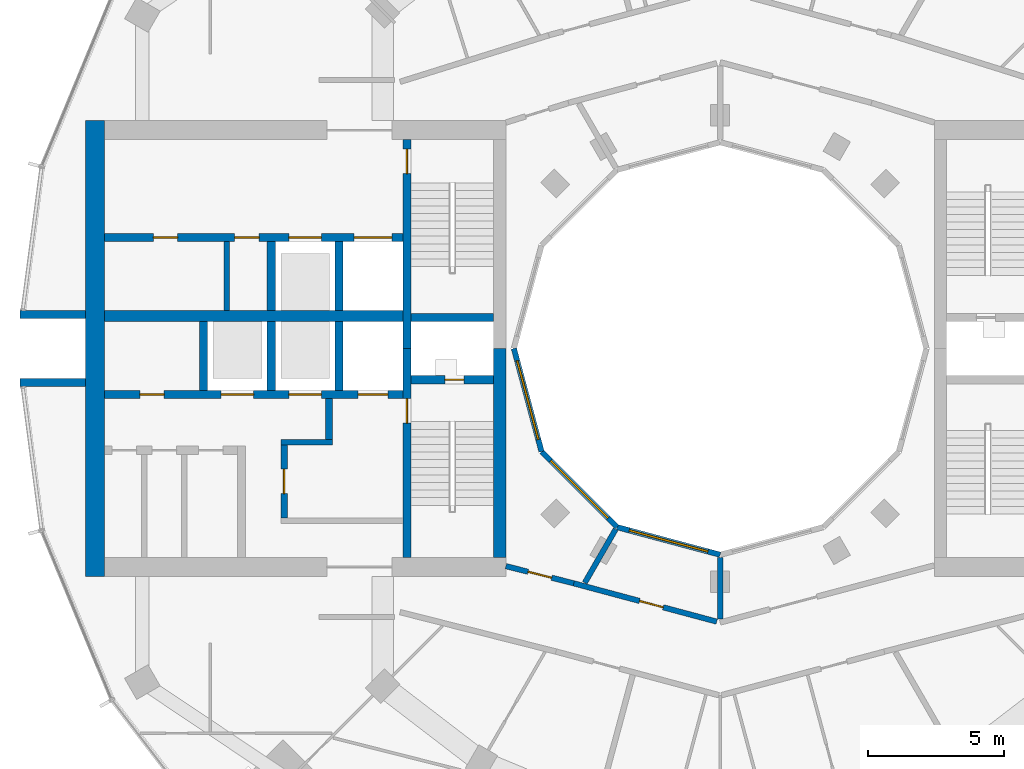
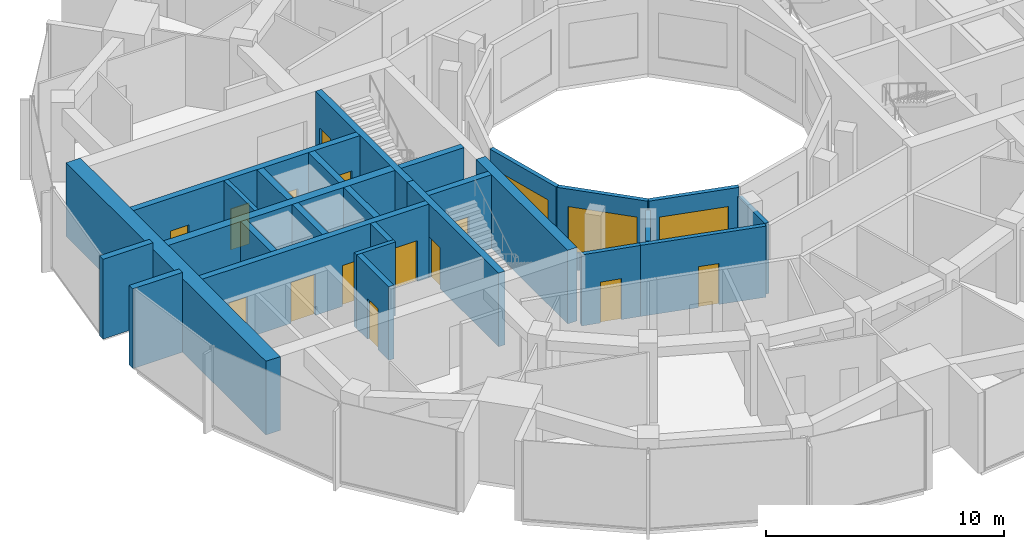
# One storey, part 9 of 15: 27 walls, 14 doors, 3 windows, 17 openings.
"""IFC4 building model written with IfcOpenShell, lengths in metres."""

from ifc_helpers import new_model, si_unit, direction, frame, frame_2d, origin, place, context, subcontext, project, spatial, rectangle, extrude, material, layer, layer_set, type_object, element, fill, save


model = new_model("IFC4")

# Units and contexts
model_context = context("Model", 3, precision=1e-05, world=origin(), true_north=direction((0.0, 1.0)))
body_context = subcontext(model_context, "Body", "Model", "MODEL_VIEW")
ifc_project = project(units=[si_unit("LENGTHUNIT", "METRE"), si_unit("AREAUNIT", "SQUARE_METRE"), si_unit("VOLUMEUNIT", "CUBIC_METRE"), si_unit("PLANEANGLEUNIT", "RADIAN"), si_unit("MASSUNIT", "GRAM", prefix="KILO")], contexts=[model_context])

# Site, building, storey
site_placement = place(None, origin())
site = spatial("IfcSite", under=ifc_project, at=site_placement, CompositionType="ELEMENT")
building_placement = place(site_placement, origin())
building = spatial("IfcBuilding", under=site, at=building_placement, Name="Torre Brocal", CompositionType="ELEMENT")
storey_placement = place(building_placement, frame((0.0, 0.0, 198.699951171875)))
storey = spatial("IfcBuildingStorey", under=building, at=storey_placement, Name="L46", CompositionType="ELEMENT", Elevation=198.699951171875)

# Walls
ifc_material_1 = material(Name="Masonry block", Category="masonry")
ifc_layer_1 = layer(ifc_material_1, 0.199951171875)
ifc_layer_set_1 = layer_set([ifc_layer_1], Name="Masonry block")
wall_type_1 = type_object("IfcWallType", Name="CORE PARTITION 200", PredefinedType="PARTITIONING", material=ifc_layer_set_1)
wall_1_placement = place(storey_placement, frame((61.800048828125, 78.949951171875, 0.0), z_axis=(0.0, 0.0, 1.0), x_axis=(0.0, -1.0, 0.0)))
element("IfcWall", 1, at=wall_1_placement, inside=storey, type_object=wall_type_1, Name="Wall CP200", PredefinedType="PARTITIONING", context=body_context, shape_type="SweptSolid", body=[
    extrude(rectangle(XDim=2.550048828125, YDim=0.199951171875, at=frame_2d((1.27490234375, 0.0))), origin(), (0.0, 0.0, 1.0), 3.780029296875),
])
ifc_material_2 = material(Name="Concrete C70", Category="concrete")
ifc_layer_2 = layer(ifc_material_2, 0.199951171875)
ifc_layer_set_2 = layer_set([ifc_layer_2], Name="Concrete C70")
wall_type_2 = type_object("IfcWallType", Name="CORE WALL 200 C70", PredefinedType="SHEAR", material=ifc_layer_set_2)
wall_2_placement = place(storey_placement, frame((65.699951171875, 71.550048828125, 0.0), z_axis=(0.0, 0.0, 1.0), x_axis=(-1.0, 0.0, 0.0)))
element("IfcWall", 2, at=wall_2_placement, inside=storey, type_object=wall_type_2, Name="Wall CW200-70", PredefinedType="SHEAR", context=body_context, shape_type="SweptSolid", body=[
    extrude(rectangle(XDim=1.89990234375, YDim=0.199951171875, at=frame_2d((0.949951171875, 0.0))), origin(), (0.0, 0.0, 1.0), 3.780029296875),
])

# Wall, opening, door
ifc_material_3 = material(Name="Concrete C70", Category="concrete")
ifc_layer_3 = layer(ifc_material_3, 0.25)
ifc_layer_set_3 = layer_set([ifc_layer_3], Name="Concrete C70")
wall_type_3 = type_object("IfcWallType", Name="CORE WALL 250 C70", PredefinedType="SHEAR", material=ifc_layer_set_3)
wall_3_placement = place(storey_placement, frame((63.925048828125, 71.449951171875, 0.0), z_axis=(0.0, 0.0, 1.0), x_axis=(0.0, -1.0, 0.0)))
wall_3 = element("IfcWall", 3, at=wall_3_placement, inside=storey, type_object=wall_type_3, Name="Wall CW250-70", PredefinedType="SHEAR", context=body_context, shape_type="SweptSolid", body=[
    extrude(rectangle(XDim=2.699951171875, YDim=0.25, at=frame_2d((1.35009765625, 0.0))), origin(), (0.0, 0.0, 1.0), 3.780029296875),
])
opening_1_placement = place(wall_3_placement, frame((0.89990234375, 0.0, 0.0)))
opening_1 = element("IfcOpeningElement", 4, at=opening_1_placement, cuts=wall_3, Name="Opening W-D26", PredefinedType="OPENING", context=body_context, shape_type="SweptSolid", body=[
    extrude(rectangle(XDim=0.89990234375, YDim=2.10009765625, at=frame_2d((0.449951171875, 1.050048828125))), frame((0.0, 0.135009765625, 0.0), z_axis=(0.0, -1.0, 0.0), x_axis=(1.0, 0.0, 0.0)), (0.0, 0.0, 1.0), 0.27001953125),
])
ifc_material_4 = material(Name="Steel A653", Category="steel")
door_type_1 = type_object("IfcDoorType", Name="LOBBY DOOR FD120 900X2100", OperationType="SINGLE_SWING_RIGHT", PredefinedType="DOOR", material=ifc_material_4)
door_1_placement = place(opening_1_placement, origin())
door_1 = element("IfcDoor", 5, at=door_1_placement, inside=storey, type_object=door_type_1, Name="Door W-D26", OperationType="SINGLE_SWING_LEFT", OverallHeight=2.10009765625, OverallWidth=0.89990234375, PredefinedType="DOOR", context=body_context, shape_type="SweptSolid", body=[
    extrude(rectangle(XDim=0.89990234375, YDim=2.10009765625, at=frame_2d((0.449951171875, 1.050048828125))), frame((0.0, 0.02490234375, 0.0), z_axis=(0.0, -1.0, 0.0), x_axis=(1.0, 0.0, 0.0)), (0.0, 0.0, 1.0), 0.050048828125),
])
fill(opening_1, door_1)

# Wall
wall_4_placement = place(storey_placement, frame((65.574951171875, 73.14990234375, 0.0), z_axis=(0.0, 0.0, 1.0), x_axis=(0.0, -1.0, 0.0)))
element("IfcWall", 6, at=wall_4_placement, inside=storey, type_object=wall_type_3, Name="Wall CW250-70", PredefinedType="SHEAR", context=body_context, shape_type="SweptSolid", body=[
    extrude(rectangle(XDim=1.5, YDim=0.25, at=frame_2d((0.75, 0.0))), origin(), (0.0, 0.0, 1.0), 3.780029296875),
])

# Wall, opening, door
ifc_material_5 = material(Name="Concrete C70", Category="concrete")
ifc_layer_4 = layer(ifc_material_5, 0.300048828125)
ifc_layer_set_4 = layer_set([ifc_layer_4], Name="Concrete C70")
wall_type_4 = type_object("IfcWallType", Name="CORE WALL 300 C70", PredefinedType="SHEAR", material=ifc_layer_set_4)
wall_5_placement = place(storey_placement, frame((68.449951171875, 75.0, 0.0), z_axis=(0.0, 0.0, 1.0), x_axis=(0.0, -1.0, 0.0)))
wall_5 = element("IfcWall", 7, at=wall_5_placement, inside=storey, type_object=wall_type_4, Name="Wall CW300-70", PredefinedType="SHEAR", context=body_context, shape_type="SweptSolid", body=[
    extrude(rectangle(XDim=7.699951171875, YDim=0.300048828125, at=frame_2d((3.85009765625, 0.0))), origin(), (0.0, 0.0, 1.0), 3.780029296875),
])
opening_2_placement = place(wall_5_placement, frame((1.85009765625, 0.0, 0.0)))
opening_2 = element("IfcOpeningElement", 8, at=opening_2_placement, cuts=wall_5, Name="Opening W-D02", PredefinedType="OPENING", context=body_context, shape_type="SweptSolid", body=[
    extrude(rectangle(XDim=0.89990234375, YDim=2.10009765625, at=frame_2d((0.449951171875, 1.050048828125))), frame((0.0, 0.159912109375, 0.0), z_axis=(0.0, -1.0, 0.0), x_axis=(1.0, 0.0, 0.0)), (0.0, 0.0, 1.0), 0.320068359375),
])
ifc_material_6 = material(Name="Steel A653", Category="steel")
door_type_2 = type_object("IfcDoorType", Name="STAIR DOOR FD120 900X2100", OperationType="SINGLE_SWING_RIGHT", PredefinedType="DOOR", material=ifc_material_6)
door_2_placement = place(opening_2_placement, origin())
door_2 = element("IfcDoor", 9, at=door_2_placement, inside=storey, type_object=door_type_2, Name="Door W-D02", OperationType="SINGLE_SWING_LEFT", OverallHeight=2.10009765625, OverallWidth=0.89990234375, PredefinedType="DOOR", context=body_context, shape_type="SweptSolid", body=[
    extrude(rectangle(XDim=0.89990234375, YDim=2.10009765625, at=frame_2d((0.449951171875, 1.050048828125))), frame((0.0, 0.02490234375, 0.0), z_axis=(0.0, -1.0, 0.0), x_axis=(1.0, 0.0, 0.0)), (0.0, 0.0, 1.0), 0.050048828125),
])
fill(opening_2, door_2)

wall_6_placement = place(storey_placement, frame((68.449951171875, 82.699951171875, 0.0), z_axis=(0.0, 0.0, 1.0), x_axis=(0.0, -1.0, 0.0)))
wall_6 = element("IfcWall", 10, at=wall_6_placement, inside=storey, type_object=wall_type_4, Name="Wall CW300-70", PredefinedType="SHEAR", context=body_context, shape_type="SweptSolid", body=[
    extrude(rectangle(XDim=7.699951171875, YDim=0.300048828125, at=frame_2d((3.85009765625, 0.0))), origin(), (0.0, 0.0, 1.0), 3.780029296875),
])
opening_3_placement = place(wall_6_placement, frame((0.35009765625, 0.0, 0.0)))
opening_3 = element("IfcOpeningElement", 11, at=opening_3_placement, cuts=wall_6, Name="Opening W-D03", PredefinedType="OPENING", context=body_context, shape_type="SweptSolid", body=[
    extrude(rectangle(XDim=0.89990234375, YDim=2.10009765625, at=frame_2d((0.449951171875, 1.050048828125))), frame((0.0, 0.159912109375, 0.0), z_axis=(0.0, -1.0, 0.0), x_axis=(1.0, 0.0, 0.0)), (0.0, 0.0, 1.0), 0.320068359375),
])
door_3_placement = place(opening_3_placement, origin())
door_3 = element("IfcDoor", 12, at=door_3_placement, inside=storey, type_object=door_type_2, Name="Door W-D03", OperationType="SINGLE_SWING_LEFT", OverallHeight=2.10009765625, OverallWidth=0.89990234375, PredefinedType="DOOR", context=body_context, shape_type="SweptSolid", body=[
    extrude(rectangle(XDim=0.89990234375, YDim=2.10009765625, at=frame_2d((0.449951171875, 1.050048828125))), frame((0.0, 0.02490234375, 0.0), z_axis=(0.0, -1.0, 0.0), x_axis=(1.0, 0.0, 0.0)), (0.0, 0.0, 1.0), 0.050048828125),
])
fill(opening_3, door_3)

wall_7_placement = place(storey_placement, frame((71.64990234375, 73.85009765625, 0.0), z_axis=(0.0, 0.0, 1.0), x_axis=(-1.0, 0.0, 0.0)))
wall_7 = element("IfcWall", 13, at=wall_7_placement, inside=storey, type_object=wall_type_4, Name="Wall CW300-70", PredefinedType="SHEAR", context=body_context, shape_type="SweptSolid", body=[
    extrude(rectangle(XDim=3.0498046875, YDim=0.300048828125, at=frame_2d((1.52490234375, 0.0))), origin(), (0.0, 0.0, 1.0), 3.780029296875),
])
opening_4_placement = place(wall_7_placement, frame((1.10009765625, 0.0, 0.0)))
opening_4 = element("IfcOpeningElement", 14, at=opening_4_placement, cuts=wall_7, Name="Opening W-D01", PredefinedType="OPENING", context=body_context, shape_type="SweptSolid", body=[
    extrude(rectangle(XDim=0.699951171875, YDim=2.0, at=frame_2d((0.35009765625, 1.0))), frame((0.0, 0.159912109375, 0.0), z_axis=(0.0, -1.0, 0.0), x_axis=(1.0, 0.0, 0.0)), (0.0, 0.0, 1.0), 0.320068359375),
])
ifc_material_7 = material(Name="Steel A653", Category="steel")
door_type_3 = type_object("IfcDoorType", Name="RISER DOOR FD120 700X2000", OperationType="SINGLE_SWING_LEFT", PredefinedType="DOOR", material=ifc_material_7)
door_4_placement = place(opening_4_placement, frame((0.699951171875, 0.0, 0.0), z_axis=(0.0, 0.0, 1.0), x_axis=(-1.0, 0.0, 0.0)))
door_4 = element("IfcDoor", 15, at=door_4_placement, inside=storey, type_object=door_type_3, Name="Door W-D01", OperationType="SINGLE_SWING_RIGHT", OverallHeight=2.0, OverallWidth=0.699951171875, PredefinedType="DOOR", context=body_context, shape_type="SweptSolid", body=[
    extrude(rectangle(XDim=0.699951171875, YDim=2.0, at=frame_2d((0.35009765625, 1.0))), frame((0.0, 0.02490234375, 0.0), z_axis=(0.0, -1.0, 0.0), x_axis=(1.0, 0.0, 0.0)), (0.0, 0.0, 1.0), 0.050048828125),
])
fill(opening_4, door_4)

# Wall
wall_8_placement = place(storey_placement, frame((71.64990234375, 76.14990234375, 0.0), z_axis=(0.0, 0.0, 1.0), x_axis=(-1.0, 0.0, 0.0)))
element("IfcWall", 16, at=wall_8_placement, inside=storey, type_object=wall_type_4, Name="Wall CW300-70", PredefinedType="SHEAR", context=body_context, shape_type="SweptSolid", body=[
    extrude(rectangle(XDim=3.0498046875, YDim=0.300048828125, at=frame_2d((1.52490234375, 0.0))), origin(), (0.0, 0.0, 1.0), 3.780029296875),
])

# Wall, openings, doors
wall_9_placement = place(storey_placement, frame((68.300048828125, 73.300048828125, 0.0), z_axis=(0.0, 0.0, 1.0), x_axis=(-1.0, 0.0, 0.0)))
wall_9 = element("IfcWall", 17, at=wall_9_placement, inside=storey, type_object=wall_type_4, Name="Wall CW300-70", PredefinedType="SHEAR", context=body_context, shape_type="SweptSolid", body=[
    extrude(rectangle(XDim=11.0, YDim=0.300048828125, at=frame_2d((5.5, 0.0))), origin(), (0.0, 0.0, 1.0), 3.780029296875),
])
opening_5_placement = place(wall_9_placement, frame((0.550048828125, 0.0, 0.0)))
opening_5 = element("IfcOpeningElement", 18, at=opening_5_placement, cuts=wall_9, Name="Opening LD", PredefinedType="OPENING", context=body_context, shape_type="SweptSolid", body=[
    extrude(rectangle(XDim=1.10009765625, YDim=2.10009765625, at=frame_2d((0.550048828125, 1.050048828125))), frame((0.0, 0.159912109375, 0.0), z_axis=(0.0, -1.0, 0.0), x_axis=(1.0, 0.0, 0.0)), (0.0, 0.0, 1.0), 0.320068359375),
])
opening_6_placement = place(wall_9_placement, frame((3.0, 0.0, 0.0)))
opening_6 = element("IfcOpeningElement", 19, at=opening_6_placement, cuts=wall_9, Name="Opening LD12", PredefinedType="OPENING", context=body_context, shape_type="SweptSolid", body=[
    extrude(rectangle(XDim=1.199951171875, YDim=2.10009765625, at=frame_2d((0.60009765625, 1.050048828125))), frame((0.0, 0.159912109375, 0.0), z_axis=(0.0, -1.0, 0.0), x_axis=(1.0, 0.0, 0.0)), (0.0, 0.0, 1.0), 0.320068359375),
])
opening_7_placement = place(wall_9_placement, frame((5.5, 0.0, 0.0)))
opening_7 = element("IfcOpeningElement", 20, at=opening_7_placement, cuts=wall_9, Name="Opening LD12", PredefinedType="OPENING", context=body_context, shape_type="SweptSolid", body=[
    extrude(rectangle(XDim=1.199951171875, YDim=2.10009765625, at=frame_2d((0.60009765625, 1.050048828125))), frame((0.0, 0.159912109375, 0.0), z_axis=(0.0, -1.0, 0.0), x_axis=(1.0, 0.0, 0.0)), (0.0, 0.0, 1.0), 0.320068359375),
])
opening_8_placement = place(wall_9_placement, frame((8.800048828125, 0.0, 0.0)))
opening_8 = element("IfcOpeningElement", 21, at=opening_8_placement, cuts=wall_9, Name="Opening W-D04", PredefinedType="OPENING", context=body_context, shape_type="SweptSolid", body=[
    extrude(rectangle(XDim=0.89990234375, YDim=2.10009765625, at=frame_2d((0.449951171875, 1.050048828125))), frame((0.0, 0.159912109375, 0.0), z_axis=(0.0, -1.0, 0.0), x_axis=(1.0, 0.0, 0.0)), (0.0, 0.0, 1.0), 0.320068359375),
])
ifc_material_8 = material(Name="Stainless steel AISI 316", Category="steel")
door_type_4 = type_object("IfcDoorType", Name="LIFT LANDING DOOR 1100X2100", OperationType="DOUBLE_DOOR_SLIDING", PredefinedType="DOOR", material=ifc_material_8)
door_5_placement = place(opening_5_placement, origin())
door_5 = element("IfcDoor", 22, at=door_5_placement, inside=storey, type_object=door_type_4, Name="Door LD", OperationType="DOUBLE_DOOR_SLIDING", OverallHeight=2.10009765625, OverallWidth=1.10009765625, PredefinedType="DOOR", context=body_context, shape_type="SweptSolid", body=[
    extrude(rectangle(XDim=1.10009765625, YDim=2.10009765625, at=frame_2d((0.550048828125, 1.050048828125))), frame((0.0, 0.02490234375, 0.0), z_axis=(0.0, -1.0, 0.0), x_axis=(1.0, 0.0, 0.0)), (0.0, 0.0, 1.0), 0.050048828125),
])
fill(opening_5, door_5)
ifc_material_9 = material(Name="Stainless steel AISI 316", Category="steel")
door_type_5 = type_object("IfcDoorType", Name="LIFT LANDING DOOR 1200X2100", OperationType="DOUBLE_DOOR_SLIDING", PredefinedType="DOOR", material=ifc_material_9)
door_6_placement = place(opening_6_placement, origin())
door_6 = element("IfcDoor", 23, at=door_6_placement, inside=storey, type_object=door_type_5, Name="Door LD12", OperationType="DOUBLE_DOOR_SLIDING", OverallHeight=2.10009765625, OverallWidth=1.199951171875, PredefinedType="DOOR", context=body_context, shape_type="SweptSolid", body=[
    extrude(rectangle(XDim=1.199951171875, YDim=2.10009765625, at=frame_2d((0.60009765625, 1.050048828125))), frame((0.0, 0.02490234375, 0.0), z_axis=(0.0, -1.0, 0.0), x_axis=(1.0, 0.0, 0.0)), (0.0, 0.0, 1.0), 0.050048828125),
])
fill(opening_6, door_6)
door_7_placement = place(opening_7_placement, origin())
door_7 = element("IfcDoor", 24, at=door_7_placement, inside=storey, type_object=door_type_5, Name="Door LD12", OperationType="DOUBLE_DOOR_SLIDING", OverallHeight=2.10009765625, OverallWidth=1.199951171875, PredefinedType="DOOR", context=body_context, shape_type="SweptSolid", body=[
    extrude(rectangle(XDim=1.199951171875, YDim=2.10009765625, at=frame_2d((0.60009765625, 1.050048828125))), frame((0.0, 0.02490234375, 0.0), z_axis=(0.0, -1.0, 0.0), x_axis=(1.0, 0.0, 0.0)), (0.0, 0.0, 1.0), 0.050048828125),
])
fill(opening_7, door_7)
ifc_material_10 = material(Name="Steel A653", Category="steel")
door_type_6 = type_object("IfcDoorType", Name="ROOM DOOR FD30S 900X2100", OperationType="SINGLE_SWING_LEFT", PredefinedType="DOOR", material=ifc_material_10)
door_8_placement = place(opening_8_placement, frame((0.89990234375, 0.0, 0.0), z_axis=(0.0, 0.0, 1.0), x_axis=(-1.0, 0.0, 0.0)))
door_8 = element("IfcDoor", 25, at=door_8_placement, inside=storey, type_object=door_type_6, Name="Door W-D04", OperationType="SINGLE_SWING_LEFT", OverallHeight=2.10009765625, OverallWidth=0.89990234375, PredefinedType="DOOR", context=body_context, shape_type="SweptSolid", body=[
    extrude(rectangle(XDim=0.89990234375, YDim=2.10009765625, at=frame_2d((0.449951171875, 1.050048828125))), frame((0.0, 0.02490234375, 0.0), z_axis=(0.0, -1.0, 0.0), x_axis=(1.0, 0.0, 0.0)), (0.0, 0.0, 1.0), 0.050048828125),
])
fill(opening_8, door_8)

wall_10_placement = place(storey_placement, frame((68.300048828125, 79.10009765625, 0.0), z_axis=(0.0, 0.0, 1.0), x_axis=(-1.0, 0.0, 0.0)))
wall_10 = element("IfcWall", 26, at=wall_10_placement, inside=storey, type_object=wall_type_4, Name="Wall CW300-70", PredefinedType="SHEAR", context=body_context, shape_type="SweptSolid", body=[
    extrude(rectangle(XDim=11.0, YDim=0.300048828125, at=frame_2d((5.5, 0.0))), origin(), (0.0, 0.0, 1.0), 3.780029296875),
])
opening_9_placement = place(wall_10_placement, frame((0.39990234375, 0.0, 0.0)))
opening_9 = element("IfcOpeningElement", 27, at=opening_9_placement, cuts=wall_10, Name="Opening LD14", PredefinedType="OPENING", context=body_context, shape_type="SweptSolid", body=[
    extrude(rectangle(XDim=1.39990234375, YDim=2.10009765625, at=frame_2d((0.699951171875, 1.050048828125))), frame((0.0, 0.159912109375, 0.0), z_axis=(0.0, -1.0, 0.0), x_axis=(1.0, 0.0, 0.0)), (0.0, 0.0, 1.0), 0.320068359375),
])
opening_10_placement = place(wall_10_placement, frame((3.0, 0.0, 0.0)))
opening_10 = element("IfcOpeningElement", 28, at=opening_10_placement, cuts=wall_10, Name="Opening LD12", PredefinedType="OPENING", context=body_context, shape_type="SweptSolid", body=[
    extrude(rectangle(XDim=1.199951171875, YDim=2.10009765625, at=frame_2d((0.60009765625, 1.050048828125))), frame((0.0, 0.159912109375, 0.0), z_axis=(0.0, -1.0, 0.0), x_axis=(1.0, 0.0, 0.0)), (0.0, 0.0, 1.0), 0.320068359375),
])
opening_11_placement = place(wall_10_placement, frame((5.300048828125, 0.0, 0.0)))
opening_11 = element("IfcOpeningElement", 29, at=opening_11_placement, cuts=wall_10, Name="Opening W-D05", PredefinedType="OPENING", context=body_context, shape_type="SweptSolid", body=[
    extrude(rectangle(XDim=0.89990234375, YDim=2.10009765625, at=frame_2d((0.449951171875, 1.050048828125))), frame((0.0, 0.159912109375, 0.0), z_axis=(0.0, -1.0, 0.0), x_axis=(1.0, 0.0, 0.0)), (0.0, 0.0, 1.0), 0.320068359375),
])
opening_12_placement = place(wall_10_placement, frame((8.300048828125, 0.0, 0.0)))
opening_12 = element("IfcOpeningElement", 30, at=opening_12_placement, cuts=wall_10, Name="Opening W-D06", PredefinedType="OPENING", context=body_context, shape_type="SweptSolid", body=[
    extrude(rectangle(XDim=0.89990234375, YDim=2.10009765625, at=frame_2d((0.449951171875, 1.050048828125))), frame((0.0, 0.159912109375, 0.0), z_axis=(0.0, -1.0, 0.0), x_axis=(1.0, 0.0, 0.0)), (0.0, 0.0, 1.0), 0.320068359375),
])
door_9_placement = place(opening_10_placement, origin())
door_9 = element("IfcDoor", 31, at=door_9_placement, inside=storey, type_object=door_type_5, Name="Door LD12", OperationType="DOUBLE_DOOR_SLIDING", OverallHeight=2.10009765625, OverallWidth=1.199951171875, PredefinedType="DOOR", context=body_context, shape_type="SweptSolid", body=[
    extrude(rectangle(XDim=1.199951171875, YDim=2.10009765625, at=frame_2d((0.60009765625, 1.050048828125))), frame((0.0, 0.02490234375, 0.0), z_axis=(0.0, -1.0, 0.0), x_axis=(1.0, 0.0, 0.0)), (0.0, 0.0, 1.0), 0.050048828125),
])
fill(opening_10, door_9)
ifc_material_11 = material(Name="Stainless steel AISI 316", Category="steel")
door_type_7 = type_object("IfcDoorType", Name="LIFT LANDING DOOR 1400X2100", OperationType="DOUBLE_DOOR_SLIDING", PredefinedType="DOOR", material=ifc_material_11)
door_10_placement = place(opening_9_placement, origin())
door_10 = element("IfcDoor", 32, at=door_10_placement, inside=storey, type_object=door_type_7, Name="Door LD14", OperationType="DOUBLE_DOOR_SLIDING", OverallHeight=2.10009765625, OverallWidth=1.39990234375, PredefinedType="DOOR", context=body_context, shape_type="SweptSolid", body=[
    extrude(rectangle(XDim=1.39990234375, YDim=2.10009765625, at=frame_2d((0.699951171875, 1.050048828125))), frame((0.0, 0.02490234375, 0.0), z_axis=(0.0, -1.0, 0.0), x_axis=(1.0, 0.0, 0.0)), (0.0, 0.0, 1.0), 0.050048828125),
])
fill(opening_9, door_10)
door_11_placement = place(opening_11_placement, origin())
door_11 = element("IfcDoor", 33, at=door_11_placement, inside=storey, type_object=door_type_6, Name="Door W-D05", OperationType="SINGLE_SWING_RIGHT", OverallHeight=2.10009765625, OverallWidth=0.89990234375, PredefinedType="DOOR", context=body_context, shape_type="SweptSolid", body=[
    extrude(rectangle(XDim=0.89990234375, YDim=2.10009765625, at=frame_2d((0.449951171875, 1.050048828125))), frame((0.0, 0.02490234375, 0.0), z_axis=(0.0, -1.0, 0.0), x_axis=(1.0, 0.0, 0.0)), (0.0, 0.0, 1.0), 0.050048828125),
])
fill(opening_11, door_11)
door_12_placement = place(opening_12_placement, origin())
door_12 = element("IfcDoor", 34, at=door_12_placement, inside=storey, type_object=door_type_6, Name="Door W-D06", OperationType="SINGLE_SWING_RIGHT", OverallHeight=2.10009765625, OverallWidth=0.89990234375, PredefinedType="DOOR", context=body_context, shape_type="SweptSolid", body=[
    extrude(rectangle(XDim=0.89990234375, YDim=2.10009765625, at=frame_2d((0.449951171875, 1.050048828125))), frame((0.0, 0.02490234375, 0.0), z_axis=(0.0, -1.0, 0.0), x_axis=(1.0, 0.0, 0.0)), (0.0, 0.0, 1.0), 0.050048828125),
])
fill(opening_12, door_12)

# Walls
for number, where, z_axis, x_axis, name in (
    (35, (65.949951171875, 76.0, 0.0), (0.0, 0.0, 1.0), (0.0, -1.0, 0.0), "Wall CW300-70"),
    (36, (63.449951171875, 76.0, 0.0), (0.0, 0.0, 1.0), (0.0, -1.0, 0.0), "Wall CW300-70"),
    (37, (60.949951171875, 76.0, 0.0), (0.0, 0.0, 1.0), (0.0, -1.0, 0.0), "Wall CW300-70"),
    (38, (65.949951171875, 78.949951171875, 0.0), (0.0, 0.0, 1.0), (0.0, -1.0, 0.0), "Wall CW300-70"),
    (39, (63.449951171875, 78.949951171875, 0.0), (0.0, 0.0, 1.0), (0.0, -1.0, 0.0), "Wall CW300-70"),
):
    element("IfcWall", number, at=place(storey_placement, frame(where, z_axis=z_axis, x_axis=x_axis)), inside=storey, type_object=wall_type_4, Name=name, PredefinedType="SHEAR", context=body_context, shape_type="SweptSolid", body=[
        extrude(rectangle(XDim=2.550048828125, YDim=0.300048828125, at=frame_2d((1.27490234375, 0.0))), origin(), (0.0, 0.0, 1.0), 3.780029296875),
    ])
ifc_material_12 = material(Name="Concrete C70", Category="concrete")
ifc_layer_5 = layer(ifc_material_12, 0.39990234375)
ifc_layer_set_5 = layer_set([ifc_layer_5], Name="Concrete C70")
wall_type_5 = type_object("IfcWallType", Name="CORE WALL 400 C70", PredefinedType="SHEAR", material=ifc_layer_set_5)
wall_11_placement = place(storey_placement, frame((68.300048828125, 76.199951171875, 0.0), z_axis=(0.0, 0.0, 1.0), x_axis=(-1.0, 0.0, 0.0)))
element("IfcWall", 40, at=wall_11_placement, inside=storey, type_object=wall_type_5, Name="Wall CW400-70", PredefinedType="SHEAR", context=body_context, shape_type="SweptSolid", body=[
    extrude(rectangle(XDim=11.0, YDim=0.39990234375, at=frame_2d((5.5, 0.0))), origin(), (0.0, 0.0, 1.0), 3.780029296875),
])
ifc_material_13 = material(Name="Concrete C70", Category="concrete")
ifc_layer_6 = layer(ifc_material_13, 0.449951171875)
ifc_layer_set_6 = layer_set([ifc_layer_6], Name="Concrete C70")
wall_type_6 = type_object("IfcWallType", Name="CORE WALL 450 C70", PredefinedType="SHEAR", material=ifc_layer_set_6)
wall_12_placement = place(storey_placement, frame((71.875, 75.0, 0.0), z_axis=(0.0, 0.0, 1.0), x_axis=(0.0, -1.0, 0.0)))
element("IfcWall", 41, at=wall_12_placement, inside=storey, type_object=wall_type_6, Name="Wall CW450-70", PredefinedType="SHEAR", context=body_context, shape_type="SweptSolid", body=[
    extrude(rectangle(XDim=7.699951171875, YDim=0.449951171875, at=frame_2d((3.85009765625, 0.0))), origin(), (0.0, 0.0, 1.0), 3.780029296875),
])
ifc_material_14 = material(Name="Concrete C70", Category="concrete")
ifc_layer_7 = layer(ifc_material_14, 0.699951171875)
ifc_layer_set_7 = layer_set([ifc_layer_7], Name="Concrete C70")
wall_type_7 = type_object("IfcWallType", Name="CORE WALL 700 C70", PredefinedType="SHEAR", material=ifc_layer_set_7)
wall_13_placement = place(storey_placement, frame((56.949951171875, 83.39990234375, 0.0), z_axis=(0.0, 0.0, 1.0), x_axis=(0.0, -1.0, 0.0)))
element("IfcWall", 42, at=wall_13_placement, inside=storey, type_object=wall_type_7, Name="Wall CW700-70", PredefinedType="SHEAR", context=body_context, shape_type="SweptSolid", body=[
    extrude(rectangle(XDim=16.7998046875, YDim=0.699951171875, at=frame_2d((8.39990234375, 0.0))), origin(), (0.0, 0.0, 1.0), 3.780029296875),
])
ifc_material_15 = material(Name="Concrete C70", Category="concrete")
ifc_layer_8 = layer(ifc_material_15, 0.300048828125)
ifc_layer_set_8 = layer_set([ifc_layer_8], Name="Concrete C70")
wall_type_8 = type_object("IfcWallType", Name="NOTCH RETURN WALL 300 C70", PredefinedType="NOTDEFINED", material=ifc_layer_set_8)
for number, where, z_axis, x_axis, name in (
    (43, (56.60009765625, 76.25, 0.0), (0.0, 0.0, 1.0), (-1.0, 0.0, 0.0), "NOTCH RETURN WALL"),
    (44, (56.60009765625, 73.75, 0.0), (0.0, 0.0, 1.0), (-1.0, 0.0, 0.0), "NOTCH RETURN WALL"),
):
    element("IfcWall", number, at=place(storey_placement, frame(where, z_axis=z_axis, x_axis=x_axis)), inside=storey, type_object=wall_type_8, Name=name, PredefinedType="NOTDEFINED", context=body_context, shape_type="SweptSolid", body=[
        extrude(rectangle(XDim=2.415771484375, YDim=0.300048828125, at=frame_2d((1.2080078125, 0.0))), origin(), (0.0, 0.0, 1.0), 4.10009765625),
    ])

# Wall, opening, door
ifc_material_16 = material(Name="Gypsum board", Category="Gypsum")
ifc_layer_9 = layer(ifc_material_16, 0.199951171875)
ifc_layer_set_9 = layer_set([ifc_layer_9], Name="Gypsum board")
wall_type_9 = type_object("IfcWallType", Name="PARTITION 200 EI60", PredefinedType="PARTITIONING", material=ifc_layer_set_9)
wall_14_placement = place(storey_placement, frame((72.10009765625, 66.97509765625, 0.0), z_axis=(0.0, 0.0, 1.0), x_axis=(0.969471314457, -0.245204752086, 0.0)))
wall_14 = element("IfcWall", 45, at=wall_14_placement, inside=storey, type_object=wall_type_9, Name="CORRIDOR WALL", PredefinedType="PARTITIONING", context=body_context, shape_type="SweptSolid", body=[
    extrude(rectangle(XDim=2.581787109375, YDim=0.199951171875, at=frame_2d((1.291015625, 0.0))), origin(), (0.0, 0.0, 1.0), 3.650146484375),
])
opening_13_placement = place(wall_14_placement, frame((0.8408203125, 0.0, 0.0)))
opening_13 = element("IfcOpeningElement", 46, at=opening_13_placement, cuts=wall_14, Name="Opening R04-D39", PredefinedType="OPENING", context=body_context, shape_type="SweptSolid", body=[
    extrude(rectangle(XDim=0.89990234375, YDim=2.10009765625, at=frame_2d((0.449951171875, 1.050048828125))), frame((0.0, 0.10986328125, 0.0), z_axis=(0.0, -1.0, 0.0), x_axis=(1.0, 0.0, 0.0)), (0.0, 0.0, 1.0), 0.219970703125),
])
ifc_material_17 = material(Name="Timber", Category="wood")
door_type_8 = type_object("IfcDoorType", Name="ROOM DOOR 900X2100", OperationType="SINGLE_SWING_LEFT", PredefinedType="DOOR", material=ifc_material_17)
door_13_placement = place(opening_13_placement, origin())
door_13 = element("IfcDoor", 47, at=door_13_placement, inside=storey, type_object=door_type_8, Name="R04-D39", OperationType="SINGLE_SWING_LEFT", OverallHeight=2.10009765625, OverallWidth=0.89990234375, PredefinedType="DOOR", context=body_context, shape_type="SweptSolid", body=[
    extrude(rectangle(XDim=0.89990234375, YDim=2.10009765625, at=frame_2d((0.449951171875, 1.050048828125))), frame((0.0, 0.02490234375, 0.0), z_axis=(0.0, -1.0, 0.0), x_axis=(1.0, 0.0, 0.0)), (0.0, 0.0, 1.0), 0.050048828125),
])
fill(opening_13, door_13)

wall_15_placement = place(storey_placement, frame((74.60302734375, 66.342041015625, 0.0), z_axis=(0.0, 0.0, 1.0), x_axis=(0.965920893652, -0.258837453254, 0.0)))
wall_15 = element("IfcWall", 48, at=wall_15_placement, inside=storey, type_object=wall_type_9, Name="CORRIDOR WALL", PredefinedType="PARTITIONING", context=body_context, shape_type="SweptSolid", body=[
    extrude(rectangle(XDim=5.45751953125, YDim=0.199951171875, at=frame_2d((2.728759765625, 0.0))), origin(), (0.0, 0.0, 1.0), 3.650146484375),
])
opening_14_placement = place(wall_15_placement, frame((2.512451171875, 0.0, 0.0)))
opening_14 = element("IfcOpeningElement", 49, at=opening_14_placement, cuts=wall_15, Name="Opening R04-D38", PredefinedType="OPENING", context=body_context, shape_type="SweptSolid", body=[
    extrude(rectangle(XDim=0.89990234375, YDim=2.10009765625, at=frame_2d((0.449951171875, 1.050048828125))), frame((0.0, 0.10986328125, 0.0), z_axis=(0.0, -1.0, 0.0), x_axis=(1.0, 0.0, 0.0)), (0.0, 0.0, 1.0), 0.219970703125),
])
door_14_placement = place(opening_14_placement, origin())
door_14 = element("IfcDoor", 50, at=door_14_placement, inside=storey, type_object=door_type_8, Name="R04-D38", OperationType="SINGLE_SWING_LEFT", OverallHeight=2.10009765625, OverallWidth=0.89990234375, PredefinedType="DOOR", context=body_context, shape_type="SweptSolid", body=[
    extrude(rectangle(XDim=0.89990234375, YDim=2.10009765625, at=frame_2d((0.449951171875, 1.050048828125))), frame((0.0, 0.02490234375, 0.0), z_axis=(0.0, -1.0, 0.0), x_axis=(1.0, 0.0, 0.0)), (0.0, 0.0, 1.0), 0.050048828125),
])
fill(opening_14, door_14)

# Walls
wall_16_placement = place(storey_placement, frame((75.01025390625, 66.3642578125, 0.0), z_axis=(0.0, 0.0, 1.0), x_axis=(0.500097042406, 0.865969369075, 0.0)))
element("IfcWall", 51, at=wall_16_placement, inside=storey, type_object=wall_type_9, Name="PARTY PARTITION", PredefinedType="PARTITIONING", context=body_context, shape_type="SweptSolid", body=[
    extrude(rectangle(XDim=2.275390625, YDim=0.199951171875, at=frame_2d((1.1376953125, 0.0))), origin(), (0.0, 0.0, 1.0), 3.650146484375),
])
wall_17_placement = place(storey_placement, frame((80.0, 65.027099609375, 0.0), z_axis=(0.0, 0.0, 1.0), x_axis=(0.0, 1.0, 0.0)))
element("IfcWall", 52, at=wall_17_placement, inside=storey, type_object=wall_type_9, Name="PARTY PARTITION", PredefinedType="PARTITIONING", context=body_context, shape_type="SweptSolid", body=[
    extrude(rectangle(XDim=2.27294921875, YDim=0.199951171875, at=frame_2d((1.136474609375, 0.0))), origin(), (0.0, 0.0, 1.0), 3.650146484375),
])

# Wall, opening, window
ifc_material_18 = material(Name="Concrete C40", Category="concrete")
ifc_layer_10 = layer(ifc_material_18, 0.199951171875)
ifc_layer_set_10 = layer_set([ifc_layer_10], Name="Concrete C40")
wall_type_10 = type_object("IfcWallType", Name="WELL FACADE WALL 200", PredefinedType="NOTDEFINED", material=ifc_layer_set_10)
wall_18_placement = place(storey_placement, frame((72.396484375, 75.0, 0.0), z_axis=(0.0, 0.0, 1.0), x_axis=(0.258789828301, -0.965933654434, 0.0)))
wall_18 = element("IfcWall", 53, at=wall_18_placement, inside=storey, type_object=wall_type_10, Name="WELL FACADE WALL", PredefinedType="NOTDEFINED", context=body_context, shape_type="SweptSolid", body=[
    extrude(rectangle(XDim=3.935791015625, YDim=0.199951171875, at=frame_2d((1.9677734375, 0.0))), origin(), (0.0, 0.0, 1.0), 4.10009765625),
])
opening_15_placement = place(wall_18_placement, frame((0.468017578125, 0.0, 0.89990234375)))
opening_15 = element("IfcOpeningElement", 54, at=opening_15_placement, cuts=wall_18, Name="Opening W1", PredefinedType="OPENING", context=body_context, shape_type="SweptSolid", body=[
    extrude(rectangle(XDim=3.0, YDim=2.300048828125, at=frame_2d((1.5, 1.14990234375))), frame((0.0, 0.10986328125, 0.0), z_axis=(0.0, -1.0, 0.0), x_axis=(1.0, 0.0, 0.0)), (0.0, 0.0, 1.0), 0.219970703125),
])
ifc_material_19 = material(Name="Aluminium and glass", Category="aluminium")
window_type = type_object("IfcWindowType", Name="WELL WINDOW 3000X2300", PartitioningType="SINGLE_PANEL", PredefinedType="WINDOW", material=ifc_material_19)
window_1_placement = place(opening_15_placement, origin())
window_1 = element("IfcWindow", 55, at=window_1_placement, inside=storey, type_object=window_type, Name="WELL WINDOW 3000X2300", OverallHeight=2.300048828125, OverallWidth=3.0, PartitioningType="SINGLE_PANEL", PredefinedType="WINDOW", context=body_context, shape_type="SweptSolid", body=[
    extrude(rectangle(XDim=3.0, YDim=2.300048828125, at=frame_2d((1.5, 1.14990234375))), frame((0.0, 0.030029296875, 0.0), z_axis=(0.0, -1.0, 0.0), x_axis=(1.0, 0.0, 0.0)), (0.0, 0.0, 1.0), 0.06005859375),
])
fill(opening_15, window_1)

wall_19_placement = place(storey_placement, frame((73.4150390625, 71.1982421875, 0.0), z_axis=(0.0, 0.0, 1.0), x_axis=(0.707106781187, -0.707106781187, 0.0)))
wall_19 = element("IfcWall", 56, at=wall_19_placement, inside=storey, type_object=wall_type_10, Name="WELL FACADE WALL", PredefinedType="NOTDEFINED", context=body_context, shape_type="SweptSolid", body=[
    extrude(rectangle(XDim=3.93603515625, YDim=0.199951171875, at=frame_2d((1.968017578125, 0.0))), origin(), (0.0, 0.0, 1.0), 4.10009765625),
])
opening_16_placement = place(wall_19_placement, frame((0.468017578125, 0.0, 0.89990234375)))
opening_16 = element("IfcOpeningElement", 57, at=opening_16_placement, cuts=wall_19, Name="Opening W1", PredefinedType="OPENING", context=body_context, shape_type="SweptSolid", body=[
    extrude(rectangle(XDim=3.0, YDim=2.300048828125, at=frame_2d((1.5, 1.14990234375))), frame((0.0, 0.10986328125, 0.0), z_axis=(0.0, -1.0, 0.0), x_axis=(1.0, 0.0, 0.0)), (0.0, 0.0, 1.0), 0.219970703125),
])
window_2_placement = place(opening_16_placement, origin())
window_2 = element("IfcWindow", 58, at=window_2_placement, inside=storey, type_object=window_type, Name="WELL WINDOW 3000X2300", OverallHeight=2.300048828125, OverallWidth=3.0, PartitioningType="SINGLE_PANEL", PredefinedType="WINDOW", context=body_context, shape_type="SweptSolid", body=[
    extrude(rectangle(XDim=3.0, YDim=2.300048828125, at=frame_2d((1.5, 1.14990234375))), frame((0.0, 0.030029296875, 0.0), z_axis=(0.0, -1.0, 0.0), x_axis=(1.0, 0.0, 0.0)), (0.0, 0.0, 1.0), 0.06005859375),
])
fill(opening_16, window_2)

wall_20_placement = place(storey_placement, frame((76.1982421875, 68.4150390625, 0.0), z_axis=(0.0, 0.0, 1.0), x_axis=(0.965933654434, -0.258789828301, 0.0)))
wall_20 = element("IfcWall", 59, at=wall_20_placement, inside=storey, type_object=wall_type_10, Name="WELL FACADE WALL", PredefinedType="NOTDEFINED", context=body_context, shape_type="SweptSolid", body=[
    extrude(rectangle(XDim=3.935791015625, YDim=0.199951171875, at=frame_2d((1.9677734375, 0.0))), origin(), (0.0, 0.0, 1.0), 4.10009765625),
])
opening_17_placement = place(wall_20_placement, frame((0.468017578125, 0.0, 0.89990234375)))
opening_17 = element("IfcOpeningElement", 60, at=opening_17_placement, cuts=wall_20, Name="Opening W1", PredefinedType="OPENING", context=body_context, shape_type="SweptSolid", body=[
    extrude(rectangle(XDim=3.0, YDim=2.300048828125, at=frame_2d((1.5, 1.14990234375))), frame((0.0, 0.10986328125, 0.0), z_axis=(0.0, -1.0, 0.0), x_axis=(1.0, 0.0, 0.0)), (0.0, 0.0, 1.0), 0.219970703125),
])
window_3_placement = place(opening_17_placement, origin())
window_3 = element("IfcWindow", 61, at=window_3_placement, inside=storey, type_object=window_type, Name="WELL WINDOW 3000X2300", OverallHeight=2.300048828125, OverallWidth=3.0, PartitioningType="SINGLE_PANEL", PredefinedType="WINDOW", context=body_context, shape_type="SweptSolid", body=[
    extrude(rectangle(XDim=3.0, YDim=2.300048828125, at=frame_2d((1.5, 1.14990234375))), frame((0.0, 0.030029296875, 0.0), z_axis=(0.0, -1.0, 0.0), x_axis=(1.0, 0.0, 0.0)), (0.0, 0.0, 1.0), 0.06005859375),
])
fill(opening_17, window_3)

save(model, "model.ifc")
